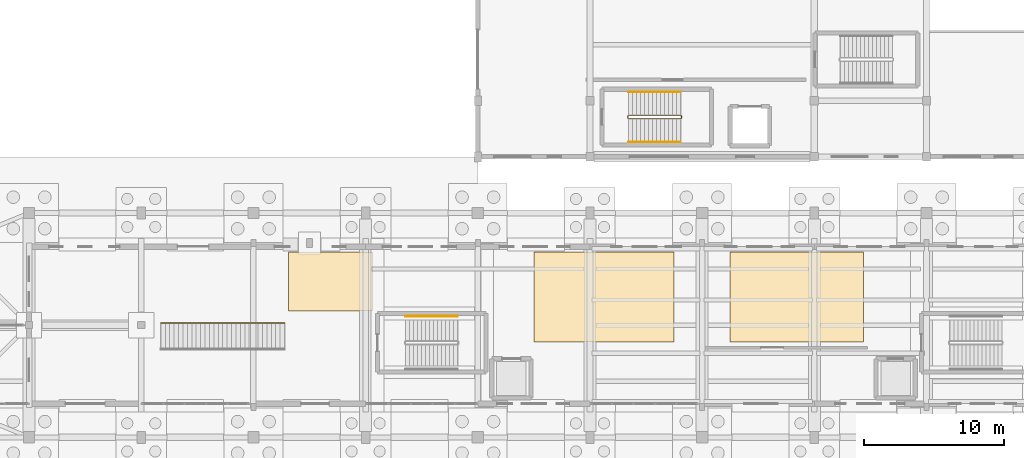
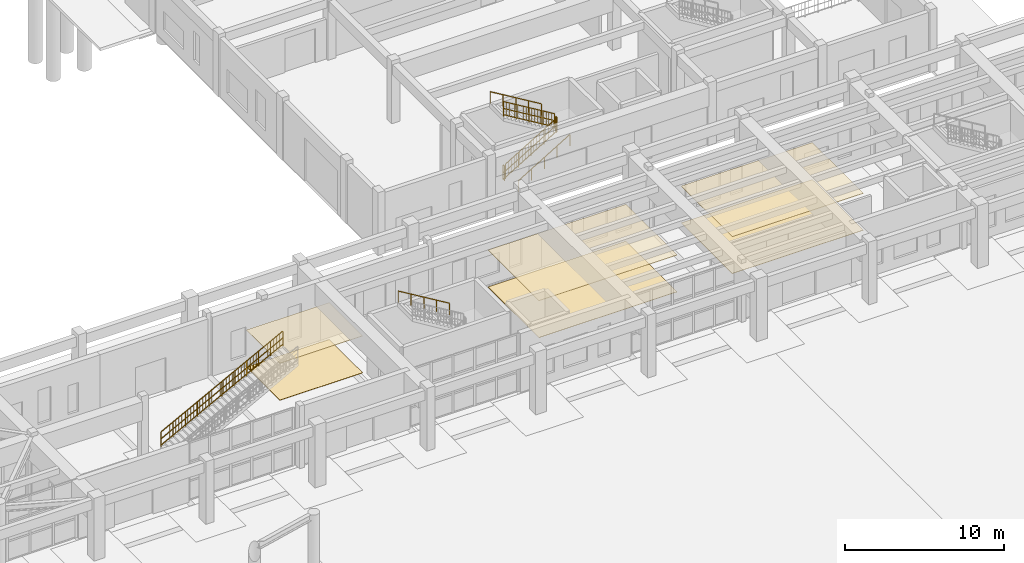
# One storey, part 63 of 68: 8 railings, 6 coverings.
"""IFC4 building model written with IfcOpenShell, lengths in metres."""

from ifc_helpers import new_model, si_unit, direction, frame, origin, origin_2d, place, context, subcontext, project, spatial, polyline, rectangle, outline, extrude, material, layer, layer_set, type_object, element, save


model = new_model("IFC4")

# Units and contexts
model_context = context("Model", 3, precision=1e-05, world=origin(), true_north=direction((0.0, 1.0)))
body_context = subcontext(model_context, "Body", "Model", "MODEL_VIEW")
ifc_project = project(units=[si_unit("LENGTHUNIT", "METRE"), si_unit("AREAUNIT", "SQUARE_METRE"), si_unit("VOLUMEUNIT", "CUBIC_METRE"), si_unit("PLANEANGLEUNIT", "RADIAN"), si_unit("MASSUNIT", "GRAM", prefix="KILO")], contexts=[model_context])

# Site, building, storey
site_placement = place(None, origin())
site = spatial("IfcSite", under=ifc_project, at=site_placement, CompositionType="ELEMENT")
building_placement = place(site_placement, origin())
building = spatial("IfcBuilding", under=site, at=building_placement, Name="Serraluz Foothill Cableway Terminal", CompositionType="ELEMENT")
storey_placement = place(building_placement, origin())
storey = spatial("IfcBuildingStorey", under=building, at=storey_placement, Name="L00", CompositionType="ELEMENT", Elevation=0.0)

# Coverings
ifc_material_1 = material(Name="Perforated acoustic mineral and timber ceiling", Category="wood")
ifc_layer_1 = layer(ifc_material_1, 0.034912109375, Name="Perforated acoustic mineral and timber ceiling", Category="wood")
ifc_layer_set_1 = layer_set([ifc_layer_1], Name="Perforated acoustic mineral and timber ceiling")
covering_type_1 = type_object("IfcCoveringType", Name="TYP-COV-CEIL-35", PredefinedType="CEILING", material=ifc_layer_set_1)
covering_1_placement = place(storey_placement, frame((0.0, 0.0, 2.81591796875)))
element("IfcCovering", 1, at=covering_1_placement, inside=storey, type_object=covering_type_1, Name="Suspended Acoustic Ceiling 01", PredefinedType="CEILING", context=body_context, shape_type="SweptSolid", body=[
    extrude(outline(polyline([(58.5, 65.0), (58.5, 69.199951171875), (59.35009765625, 69.199951171875), (59.35009765625, 69.199951171875), (60.64990234375, 69.199951171875), (60.64990234375, 69.199951171875), (64.5, 69.199951171875), (64.5, 65.0), (58.5, 65.0)])), origin(), (0.0, 0.0, 1.0), 0.03515625),
])
covering_2_placement = place(storey_placement, frame((0.0, 0.0, 2.81591796875)))
element("IfcCovering", 2, at=covering_2_placement, inside=storey, type_object=covering_type_1, Name="Suspended Acoustic Ceiling 02", PredefinedType="CEILING", context=body_context, shape_type="SweptSolid", body=[
    extrude(outline(polyline([(76.0, 62.800048828125), (76.0, 69.199951171875), (86.0, 69.199951171875), (86.0, 62.800048828125), (76.0, 62.800048828125)])), origin(), (0.0, 0.0, 1.0), 0.03515625),
])
covering_3_placement = place(storey_placement, frame((0.0, 0.0, 2.81591796875)))
element("IfcCovering", 3, at=covering_3_placement, inside=storey, type_object=covering_type_1, Name="Suspended Acoustic Ceiling 03", PredefinedType="CEILING", context=body_context, shape_type="SweptSolid", body=[
    extrude(outline(polyline([(90.0, 62.800048828125), (90.0, 69.199951171875), (99.5, 69.199951171875), (99.5, 62.800048828125), (90.0, 62.800048828125)])), origin(), (0.0, 0.0, 1.0), 0.03515625),
])
ifc_material_2 = material(Name="Honed basalt and terrazzo floor finish", Category="masonry")
ifc_layer_2 = layer(ifc_material_2, 0.02490234375, Name="Honed basalt and terrazzo floor finish", Category="masonry")
ifc_layer_set_2 = layer_set([ifc_layer_2], Name="Honed basalt and terrazzo floor finish")
covering_type_2 = type_object("IfcCoveringType", Name="TYP-COV-FLR-25", PredefinedType="FLOORING", material=ifc_layer_set_2)
covering_4_placement = place(storey_placement, origin())
element("IfcCovering", 4, at=covering_4_placement, inside=storey, type_object=covering_type_2, Name="Terrazzo Concourse Flooring 01", PredefinedType="FLOORING", context=body_context, shape_type="SweptSolid", body=[
    extrude(outline(polyline([(58.5, 65.0), (64.5, 65.0), (64.5, 69.199951171875), (58.5, 69.199951171875), (58.5, 65.0)])), origin(), (0.0, 0.0, 1.0), 0.02490234375),
])
covering_5_placement = place(storey_placement, origin())
element("IfcCovering", 5, at=covering_5_placement, inside=storey, type_object=covering_type_2, Name="Terrazzo Concourse Flooring 02", PredefinedType="FLOORING", context=body_context, shape_type="SweptSolid", body=[
    extrude(outline(polyline([(76.0, 62.800048828125), (86.0, 62.800048828125), (86.0, 69.199951171875), (76.0, 69.199951171875), (76.0, 62.800048828125)])), origin(), (0.0, 0.0, 1.0), 0.02490234375),
])
covering_6_placement = place(storey_placement, origin())
element("IfcCovering", 6, at=covering_6_placement, inside=storey, type_object=covering_type_2, Name="Terrazzo Concourse Flooring 03", PredefinedType="FLOORING", context=body_context, shape_type="SweptSolid", body=[
    extrude(outline(polyline([(90.0, 62.800048828125), (99.5, 62.800048828125), (99.5, 69.199951171875), (90.0, 69.199951171875), (90.0, 62.800048828125)])), origin(), (0.0, 0.0, 1.0), 0.02490234375),
])

# Railings
ifc_material_3 = material(Name="Steel ASTM A572 Grade 50", Category="steel")
ifc_layer_3 = layer(ifc_material_3, 0.054931640625, Name="Steel ASTM A572 Grade 50", Category="steel")
ifc_layer_set_3 = layer_set([ifc_layer_3], Name="Steel ASTM A572 Grade 50")
railing_type_1 = type_object("IfcRailingType", Name="TYP-RL-GRD-1150", PredefinedType="GUARDRAIL", material=ifc_layer_set_3)
railing_1_placement = place(storey_placement, frame((82.760009765625, 78.7099609375, 0.17138671875)))
element("IfcRailing", 7, at=railing_1_placement, inside=storey, type_object=railing_type_1, Name="L00 ST-08 stair guard 1", PredefinedType="GUARDRAIL", context=body_context, shape_type="SweptSolid", body=[
    extrude(rectangle(XDim=0.048095703125, YDim=0.048095703125, at=origin_2d()), frame((0.0, 0.0, 1.1259765625), z_axis=(0.856934400257, 0.0, 0.515425487977), x_axis=(0.0, 1.0, 0.0)), (0.0, 0.0, 1.0), 4.32373046875),
    extrude(rectangle(XDim=0.048095703125, YDim=0.048095703125, at=origin_2d()), frame((0.0, 0.0, 0.597900390625), z_axis=(0.856934400257, 0.0, 0.515425487977), x_axis=(0.0, 1.0, 0.0)), (0.0, 0.0, 1.0), 4.32373046875),
    extrude(rectangle(XDim=0.048095703125, YDim=0.048095703125, at=origin_2d()), frame((0.0, 0.0, 0.1201171875), z_axis=(0.856934400257, 0.0, 0.515425487977), x_axis=(0.0, 1.0, 0.0)), (0.0, 0.0, 1.0), 4.32373046875),
    extrude(rectangle(XDim=0.02001953125, YDim=0.02001953125, at=origin_2d()), frame((0.205810546875, 0.0, 0.243896484375)), (0.0, 0.0, 1.0), 0.981689453125),
    extrude(rectangle(XDim=0.02001953125, YDim=0.02001953125, at=origin_2d()), frame((0.41162109375, 0.0, 0.36767578125)), (0.0, 0.0, 1.0), 0.981689453125),
    extrude(rectangle(XDim=0.02001953125, YDim=0.02001953125, at=origin_2d()), frame((0.617431640625, 0.0, 0.491455078125)), (0.0, 0.0, 1.0), 0.981689453125),
    extrude(rectangle(XDim=0.02001953125, YDim=0.02001953125, at=origin_2d()), frame((0.8232421875, 0.0, 0.615234375)), (0.0, 0.0, 1.0), 0.981689453125),
    extrude(rectangle(XDim=0.02001953125, YDim=0.02001953125, at=origin_2d()), frame((1.029296875, 0.0, 0.739013671875)), (0.0, 0.0, 1.0), 0.981689453125),
    extrude(rectangle(XDim=0.02001953125, YDim=0.02001953125, at=origin_2d()), frame((1.235107421875, 0.0, 0.86279296875)), (0.0, 0.0, 1.0), 0.981689453125),
    extrude(rectangle(XDim=0.02001953125, YDim=0.02001953125, at=origin_2d()), frame((1.44091796875, 0.0, 0.986572265625)), (0.0, 0.0, 1.0), 0.981689453125),
    extrude(rectangle(XDim=0.02001953125, YDim=0.02001953125, at=origin_2d()), frame((1.646728515625, 0.0, 1.1103515625)), (0.0, 0.0, 1.0), 0.981689453125),
    extrude(rectangle(XDim=0.02001953125, YDim=0.02001953125, at=origin_2d()), frame((2.058349609375, 0.0, 1.358154296875)), (0.0, 0.0, 1.0), 0.981689453125),
    extrude(rectangle(XDim=0.02001953125, YDim=0.02001953125, at=origin_2d()), frame((2.26416015625, 0.0, 1.48193359375)), (0.0, 0.0, 1.0), 0.981689453125),
    extrude(rectangle(XDim=0.02001953125, YDim=0.02001953125, at=origin_2d()), frame((2.469970703125, 0.0, 1.605712890625)), (0.0, 0.0, 1.0), 0.981689453125),
    extrude(rectangle(XDim=0.02001953125, YDim=0.02001953125, at=origin_2d()), frame((2.67578125, 0.0, 1.7294921875)), (0.0, 0.0, 1.0), 0.981689453125),
    extrude(rectangle(XDim=0.02001953125, YDim=0.02001953125, at=origin_2d()), frame((2.8818359375, 0.0, 1.853271484375)), (0.0, 0.0, 1.0), 0.981689453125),
    extrude(rectangle(XDim=0.02001953125, YDim=0.02001953125, at=origin_2d()), frame((3.087646484375, 0.0, 1.97705078125)), (0.0, 0.0, 1.0), 0.981689453125),
    extrude(rectangle(XDim=0.02001953125, YDim=0.02001953125, at=origin_2d()), frame((3.29345703125, 0.0, 2.100830078125)), (0.0, 0.0, 1.0), 0.981689453125),
    extrude(rectangle(XDim=0.02001953125, YDim=0.02001953125, at=origin_2d()), frame((3.499267578125, 0.0, 2.224609375)), (0.0, 0.0, 1.0), 0.981689453125),
    extrude(rectangle(XDim=0.0439453125, YDim=0.0439453125, at=origin_2d()), origin(), (0.0, 0.0, 1.0), 1.101806640625),
    extrude(rectangle(XDim=0.0439453125, YDim=0.0439453125, at=origin_2d()), frame((0.92626953125, 0.0, 0.55712890625)), (0.0, 0.0, 1.0), 1.101806640625),
    extrude(rectangle(XDim=0.0439453125, YDim=0.0439453125, at=origin_2d()), frame((1.8525390625, 0.0, 1.1142578125)), (0.0, 0.0, 1.0), 1.101806640625),
    extrude(rectangle(XDim=0.0439453125, YDim=0.0439453125, at=origin_2d()), frame((2.77880859375, 0.0, 1.67138671875)), (0.0, 0.0, 1.0), 1.101806640625),
    extrude(rectangle(XDim=0.0439453125, YDim=0.0439453125, at=origin_2d()), frame((3.705078125, 0.0, 2.228515625)), (0.0, 0.0, 1.0), 1.101806640625),
])
railing_2_placement = place(storey_placement, frame((86.514892578125, 78.760009765625, 2.39990234375)))
element("IfcRailing", 8, at=railing_2_placement, inside=storey, type_object=railing_type_1, Name="L00 ST-08 stair guard 2", PredefinedType="GUARDRAIL", context=body_context, shape_type="SweptSolid", body=[
    extrude(rectangle(XDim=0.048095703125, YDim=0.048095703125, at=origin_2d()), frame((0.0, 0.0, 1.1259765625), z_axis=(0.0, 1.0, 0.0), x_axis=(-1.0, 0.0, 0.0)), (0.0, 0.0, 1.0), 0.159912109375),
    extrude(rectangle(XDim=0.048095703125, YDim=0.048095703125, at=origin_2d()), frame((0.0, 0.0, 0.597900390625), z_axis=(0.0, 1.0, 0.0), x_axis=(-1.0, 0.0, 0.0)), (0.0, 0.0, 1.0), 0.159912109375),
    extrude(rectangle(XDim=0.048095703125, YDim=0.048095703125, at=origin_2d()), frame((0.0, 0.0, 0.1201171875), z_axis=(0.0, 1.0, 0.0), x_axis=(-1.0, 0.0, 0.0)), (0.0, 0.0, 1.0), 0.159912109375),
    extrude(rectangle(XDim=0.0439453125, YDim=0.0439453125, at=origin_2d()), origin(), (0.0, 0.0, 1.0), 1.101806640625),
    extrude(rectangle(XDim=0.0439453125, YDim=0.0439453125, at=origin_2d()), frame((0.0, 0.159912109375, 0.0)), (0.0, 0.0, 1.0), 1.101806640625),
])
railing_3_placement = place(storey_placement, frame((86.465087890625, 78.969970703125, 2.571533203125)))
element("IfcRailing", 9, at=railing_3_placement, inside=storey, type_object=railing_type_1, Name="L00 ST-08 stair guard 3", PredefinedType="GUARDRAIL", context=body_context, shape_type="SweptSolid", body=[
    extrude(rectangle(XDim=0.048095703125, YDim=0.048095703125, at=origin_2d()), frame((0.0, 0.0, 1.1259765625), z_axis=(-0.856934400257, 0.0, 0.515425487977), x_axis=(0.0, -1.0, 0.0)), (0.0, 0.0, 1.0), 4.32373046875),
    extrude(rectangle(XDim=0.048095703125, YDim=0.048095703125, at=origin_2d()), frame((0.0, 0.0, 0.597900390625), z_axis=(-0.856934400257, 0.0, 0.515425487977), x_axis=(0.0, -1.0, 0.0)), (0.0, 0.0, 1.0), 4.32373046875),
    extrude(rectangle(XDim=0.048095703125, YDim=0.048095703125, at=origin_2d()), frame((0.0, 0.0, 0.1201171875), z_axis=(-0.856934400257, 0.0, 0.515425487977), x_axis=(0.0, -1.0, 0.0)), (0.0, 0.0, 1.0), 4.32373046875),
    extrude(rectangle(XDim=0.02001953125, YDim=0.02001953125, at=origin_2d()), frame((-0.205810546875, 0.0, 0.243896484375)), (0.0, 0.0, 1.0), 0.981689453125),
    extrude(rectangle(XDim=0.02001953125, YDim=0.02001953125, at=origin_2d()), frame((-0.41162109375, 0.0, 0.36767578125)), (0.0, 0.0, 1.0), 0.981689453125),
    extrude(rectangle(XDim=0.02001953125, YDim=0.02001953125, at=origin_2d()), frame((-0.617431640625, 0.0, 0.491455078125)), (0.0, 0.0, 1.0), 0.981689453125),
    extrude(rectangle(XDim=0.02001953125, YDim=0.02001953125, at=origin_2d()), frame((-0.8232421875, 0.0, 0.615234375)), (0.0, 0.0, 1.0), 0.981689453125),
    extrude(rectangle(XDim=0.02001953125, YDim=0.02001953125, at=origin_2d()), frame((-1.029296875, 0.0, 0.739013671875)), (0.0, 0.0, 1.0), 0.981689453125),
    extrude(rectangle(XDim=0.02001953125, YDim=0.02001953125, at=origin_2d()), frame((-1.235107421875, 0.0, 0.86279296875)), (0.0, 0.0, 1.0), 0.981689453125),
    extrude(rectangle(XDim=0.02001953125, YDim=0.02001953125, at=origin_2d()), frame((-1.44091796875, 0.0, 0.986572265625)), (0.0, 0.0, 1.0), 0.981689453125),
    extrude(rectangle(XDim=0.02001953125, YDim=0.02001953125, at=origin_2d()), frame((-1.646728515625, 0.0, 1.1103515625)), (0.0, 0.0, 1.0), 0.981689453125),
    extrude(rectangle(XDim=0.02001953125, YDim=0.02001953125, at=origin_2d()), frame((-2.058349609375, 0.0, 1.358154296875)), (0.0, 0.0, 1.0), 0.981689453125),
    extrude(rectangle(XDim=0.02001953125, YDim=0.02001953125, at=origin_2d()), frame((-2.26416015625, 0.0, 1.48193359375)), (0.0, 0.0, 1.0), 0.981689453125),
    extrude(rectangle(XDim=0.02001953125, YDim=0.02001953125, at=origin_2d()), frame((-2.469970703125, 0.0, 1.605712890625)), (0.0, 0.0, 1.0), 0.981689453125),
    extrude(rectangle(XDim=0.02001953125, YDim=0.02001953125, at=origin_2d()), frame((-2.67578125, 0.0, 1.7294921875)), (0.0, 0.0, 1.0), 0.981689453125),
    extrude(rectangle(XDim=0.02001953125, YDim=0.02001953125, at=origin_2d()), frame((-2.8818359375, 0.0, 1.853271484375)), (0.0, 0.0, 1.0), 0.981689453125),
    extrude(rectangle(XDim=0.02001953125, YDim=0.02001953125, at=origin_2d()), frame((-3.087646484375, 0.0, 1.97705078125)), (0.0, 0.0, 1.0), 0.981689453125),
    extrude(rectangle(XDim=0.02001953125, YDim=0.02001953125, at=origin_2d()), frame((-3.29345703125, 0.0, 2.100830078125)), (0.0, 0.0, 1.0), 0.981689453125),
    extrude(rectangle(XDim=0.02001953125, YDim=0.02001953125, at=origin_2d()), frame((-3.499267578125, 0.0, 2.224609375)), (0.0, 0.0, 1.0), 0.981689453125),
    extrude(rectangle(XDim=0.0439453125, YDim=0.0439453125, at=origin_2d()), origin(), (0.0, 0.0, 1.0), 1.101806640625),
    extrude(rectangle(XDim=0.0439453125, YDim=0.0439453125, at=origin_2d()), frame((-0.92626953125, 0.0, 0.55712890625)), (0.0, 0.0, 1.0), 1.101806640625),
    extrude(rectangle(XDim=0.0439453125, YDim=0.0439453125, at=origin_2d()), frame((-1.8525390625, 0.0, 1.1142578125)), (0.0, 0.0, 1.0), 1.101806640625),
    extrude(rectangle(XDim=0.0439453125, YDim=0.0439453125, at=origin_2d()), frame((-2.77880859375, 0.0, 1.67138671875)), (0.0, 0.0, 1.0), 1.101806640625),
    extrude(rectangle(XDim=0.0439453125, YDim=0.0439453125, at=origin_2d()), frame((-3.705078125, 0.0, 2.228515625)), (0.0, 0.0, 1.0), 1.101806640625),
])
railing_4_placement = place(storey_placement, frame((82.7099609375, 78.760009765625, 0.0)))
element("IfcRailing", 10, at=railing_4_placement, inside=storey, type_object=railing_type_1, Name="L00 ST-08 stair guard 4", PredefinedType="GUARDRAIL", context=body_context, shape_type="SweptSolid", body=[
    extrude(rectangle(XDim=0.048095703125, YDim=0.048095703125, at=origin_2d()), frame((0.0, 0.0, 1.1259765625), z_axis=(0.0, 1.0, 0.0), x_axis=(-1.0, 0.0, 0.0)), (0.0, 0.0, 1.0), 0.159912109375),
    extrude(rectangle(XDim=0.048095703125, YDim=0.048095703125, at=origin_2d()), frame((0.0, 0.0, 0.597900390625), z_axis=(0.0, 1.0, 0.0), x_axis=(-1.0, 0.0, 0.0)), (0.0, 0.0, 1.0), 0.159912109375),
    extrude(rectangle(XDim=0.048095703125, YDim=0.048095703125, at=origin_2d()), frame((0.0, 0.0, 0.1201171875), z_axis=(0.0, 1.0, 0.0), x_axis=(-1.0, 0.0, 0.0)), (0.0, 0.0, 1.0), 0.159912109375),
    extrude(rectangle(XDim=0.0439453125, YDim=0.0439453125, at=origin_2d()), origin(), (0.0, 0.0, 1.0), 1.101806640625),
    extrude(rectangle(XDim=0.0439453125, YDim=0.0439453125, at=origin_2d()), frame((0.0, 0.159912109375, 0.0)), (0.0, 0.0, 1.0), 1.101806640625),
])
railing_5_placement = place(storey_placement, frame((49.39990234375, 64.14990234375, 0.16552734375)))
element("IfcRailing", 11, at=railing_5_placement, inside=storey, type_object=railing_type_1, Name="GUARDRAIL ST-F01-R", PredefinedType="GUARDRAIL", context=body_context, shape_type="SweptSolid", body=[
    extrude(rectangle(XDim=0.048095703125, YDim=0.048095703125, at=origin_2d()), frame((0.0, 0.0, 1.1259765625), z_axis=(0.88523321492, 0.0, 0.465147455333), x_axis=(0.0, 1.0, 0.0)), (0.0, 0.0, 1.0), 9.963623046875),
    extrude(rectangle(XDim=0.048095703125, YDim=0.048095703125, at=origin_2d()), frame((0.0, 0.0, 0.597900390625), z_axis=(0.88523321492, 0.0, 0.465147455333), x_axis=(0.0, 1.0, 0.0)), (0.0, 0.0, 1.0), 9.963623046875),
    extrude(rectangle(XDim=0.048095703125, YDim=0.048095703125, at=origin_2d()), frame((0.0, 0.0, 0.1201171875), z_axis=(0.88523321492, 0.0, 0.465147455333), x_axis=(0.0, 1.0, 0.0)), (0.0, 0.0, 1.0), 9.963623046875),
    extrude(rectangle(XDim=0.02001953125, YDim=0.02001953125, at=origin_2d()), frame((0.215087890625, 0.0, 0.233154296875)), (0.0, 0.0, 1.0), 0.981689453125),
    extrude(rectangle(XDim=0.02001953125, YDim=0.02001953125, at=origin_2d()), frame((0.43017578125, 0.0, 0.34619140625)), (0.0, 0.0, 1.0), 0.981689453125),
    extrude(rectangle(XDim=0.02001953125, YDim=0.02001953125, at=origin_2d()), frame((0.645263671875, 0.0, 0.459228515625)), (0.0, 0.0, 1.0), 0.981689453125),
    extrude(rectangle(XDim=0.02001953125, YDim=0.02001953125, at=origin_2d()), frame((1.07568359375, 0.0, 0.685302734375)), (0.0, 0.0, 1.0), 0.981689453125),
    extrude(rectangle(XDim=0.02001953125, YDim=0.02001953125, at=origin_2d()), frame((1.290771484375, 0.0, 0.79833984375)), (0.0, 0.0, 1.0), 0.981689453125),
    extrude(rectangle(XDim=0.02001953125, YDim=0.02001953125, at=origin_2d()), frame((1.505859375, 0.0, 0.911376953125)), (0.0, 0.0, 1.0), 0.981689453125),
    extrude(rectangle(XDim=0.02001953125, YDim=0.02001953125, at=origin_2d()), frame((1.93603515625, 0.0, 1.137451171875)), (0.0, 0.0, 1.0), 0.981689453125),
    extrude(rectangle(XDim=0.02001953125, YDim=0.02001953125, at=origin_2d()), frame((2.151123046875, 0.0, 1.25048828125)), (0.0, 0.0, 1.0), 0.981689453125),
    extrude(rectangle(XDim=0.02001953125, YDim=0.02001953125, at=origin_2d()), frame((2.366455078125, 0.0, 1.363525390625)), (0.0, 0.0, 1.0), 0.981689453125),
    extrude(rectangle(XDim=0.02001953125, YDim=0.02001953125, at=origin_2d()), frame((2.58154296875, 0.0, 1.4765625)), (0.0, 0.0, 1.0), 0.981689453125),
    extrude(rectangle(XDim=0.02001953125, YDim=0.02001953125, at=origin_2d()), frame((2.796630859375, 0.0, 1.589599609375)), (0.0, 0.0, 1.0), 0.981689453125),
    extrude(rectangle(XDim=0.02001953125, YDim=0.02001953125, at=origin_2d()), frame((3.01171875, 0.0, 1.70263671875)), (0.0, 0.0, 1.0), 0.981689453125),
    extrude(rectangle(XDim=0.02001953125, YDim=0.02001953125, at=origin_2d()), frame((3.226806640625, 0.0, 1.815673828125)), (0.0, 0.0, 1.0), 0.981689453125),
    extrude(rectangle(XDim=0.02001953125, YDim=0.02001953125, at=origin_2d()), frame((3.44189453125, 0.0, 1.9287109375)), (0.0, 0.0, 1.0), 0.981689453125),
    extrude(rectangle(XDim=0.02001953125, YDim=0.02001953125, at=origin_2d()), frame((3.656982421875, 0.0, 2.041748046875)), (0.0, 0.0, 1.0), 0.981689453125),
    extrude(rectangle(XDim=0.02001953125, YDim=0.02001953125, at=origin_2d()), frame((3.872314453125, 0.0, 2.15478515625)), (0.0, 0.0, 1.0), 0.981689453125),
    extrude(rectangle(XDim=0.02001953125, YDim=0.02001953125, at=origin_2d()), frame((4.08740234375, 0.0, 2.267822265625)), (0.0, 0.0, 1.0), 0.981689453125),
    extrude(rectangle(XDim=0.02001953125, YDim=0.02001953125, at=origin_2d()), frame((4.302490234375, 0.0, 2.380859375)), (0.0, 0.0, 1.0), 0.981689453125),
    extrude(rectangle(XDim=0.02001953125, YDim=0.02001953125, at=origin_2d()), frame((4.517578125, 0.0, 2.493896484375)), (0.0, 0.0, 1.0), 0.981689453125),
    extrude(rectangle(XDim=0.02001953125, YDim=0.02001953125, at=origin_2d()), frame((4.732666015625, 0.0, 2.60693359375)), (0.0, 0.0, 1.0), 0.981689453125),
    extrude(rectangle(XDim=0.02001953125, YDim=0.02001953125, at=origin_2d()), frame((4.94775390625, 0.0, 2.719970703125)), (0.0, 0.0, 1.0), 0.981689453125),
    extrude(rectangle(XDim=0.02001953125, YDim=0.02001953125, at=origin_2d()), frame((5.1630859375, 0.0, 2.8330078125)), (0.0, 0.0, 1.0), 0.981689453125),
    extrude(rectangle(XDim=0.02001953125, YDim=0.02001953125, at=origin_2d()), frame((5.378173828125, 0.0, 2.946044921875)), (0.0, 0.0, 1.0), 0.981689453125),
    extrude(rectangle(XDim=0.02001953125, YDim=0.02001953125, at=origin_2d()), frame((5.59326171875, 0.0, 3.05908203125)), (0.0, 0.0, 1.0), 0.981689453125),
    extrude(rectangle(XDim=0.02001953125, YDim=0.02001953125, at=origin_2d()), frame((5.808349609375, 0.0, 3.172119140625)), (0.0, 0.0, 1.0), 0.981689453125),
    extrude(rectangle(XDim=0.02001953125, YDim=0.02001953125, at=origin_2d()), frame((6.0234375, 0.0, 3.28515625)), (0.0, 0.0, 1.0), 0.981689453125),
    extrude(rectangle(XDim=0.02001953125, YDim=0.02001953125, at=origin_2d()), frame((6.238525390625, 0.0, 3.398193359375)), (0.0, 0.0, 1.0), 0.981689453125),
    extrude(rectangle(XDim=0.02001953125, YDim=0.02001953125, at=origin_2d()), frame((6.45361328125, 0.0, 3.51123046875)), (0.0, 0.0, 1.0), 0.981689453125),
    extrude(rectangle(XDim=0.02001953125, YDim=0.02001953125, at=origin_2d()), frame((6.6689453125, 0.0, 3.624267578125)), (0.0, 0.0, 1.0), 0.981689453125),
    extrude(rectangle(XDim=0.02001953125, YDim=0.02001953125, at=origin_2d()), frame((6.884033203125, 0.0, 3.7373046875)), (0.0, 0.0, 1.0), 0.981689453125),
    extrude(rectangle(XDim=0.02001953125, YDim=0.02001953125, at=origin_2d()), frame((7.314208984375, 0.0, 3.96337890625)), (0.0, 0.0, 1.0), 0.981689453125),
    extrude(rectangle(XDim=0.02001953125, YDim=0.02001953125, at=origin_2d()), frame((7.529296875, 0.0, 4.076416015625)), (0.0, 0.0, 1.0), 0.981689453125),
    extrude(rectangle(XDim=0.02001953125, YDim=0.02001953125, at=origin_2d()), frame((7.744384765625, 0.0, 4.189453125)), (0.0, 0.0, 1.0), 0.981689453125),
    extrude(rectangle(XDim=0.02001953125, YDim=0.02001953125, at=origin_2d()), frame((8.1748046875, 0.0, 4.41552734375)), (0.0, 0.0, 1.0), 0.981689453125),
    extrude(rectangle(XDim=0.02001953125, YDim=0.02001953125, at=origin_2d()), frame((8.389892578125, 0.0, 4.528564453125)), (0.0, 0.0, 1.0), 0.981689453125),
    extrude(rectangle(XDim=0.02001953125, YDim=0.02001953125, at=origin_2d()), frame((8.60498046875, 0.0, 4.6416015625)), (0.0, 0.0, 1.0), 0.981689453125),
    extrude(rectangle(XDim=0.0439453125, YDim=0.0439453125, at=origin_2d()), origin(), (0.0, 0.0, 1.0), 1.101806640625),
    extrude(rectangle(XDim=0.0439453125, YDim=0.0439453125, at=origin_2d()), frame((0.882080078125, 0.0, 0.46337890625)), (0.0, 0.0, 1.0), 1.101806640625),
    extrude(rectangle(XDim=0.0439453125, YDim=0.0439453125, at=origin_2d()), frame((1.763916015625, 0.0, 0.927001953125)), (0.0, 0.0, 1.0), 1.101806640625),
    extrude(rectangle(XDim=0.0439453125, YDim=0.0439453125, at=origin_2d()), frame((2.64599609375, 0.0, 1.390380859375)), (0.0, 0.0, 1.0), 1.101806640625),
    extrude(rectangle(XDim=0.0439453125, YDim=0.0439453125, at=origin_2d()), frame((3.528076171875, 0.0, 1.853759765625)), (0.0, 0.0, 1.0), 1.101806640625),
    extrude(rectangle(XDim=0.0439453125, YDim=0.0439453125, at=origin_2d()), frame((4.41015625, 0.0, 2.3173828125)), (0.0, 0.0, 1.0), 1.101806640625),
    extrude(rectangle(XDim=0.0439453125, YDim=0.0439453125, at=origin_2d()), frame((5.2919921875, 0.0, 2.78076171875)), (0.0, 0.0, 1.0), 1.101806640625),
    extrude(rectangle(XDim=0.0439453125, YDim=0.0439453125, at=origin_2d()), frame((6.174072265625, 0.0, 3.244140625)), (0.0, 0.0, 1.0), 1.101806640625),
    extrude(rectangle(XDim=0.0439453125, YDim=0.0439453125, at=origin_2d()), frame((7.05615234375, 0.0, 3.70751953125)), (0.0, 0.0, 1.0), 1.101806640625),
    extrude(rectangle(XDim=0.0439453125, YDim=0.0439453125, at=origin_2d()), frame((7.93798828125, 0.0, 4.171142578125)), (0.0, 0.0, 1.0), 1.101806640625),
    extrude(rectangle(XDim=0.0439453125, YDim=0.0439453125, at=origin_2d()), frame((8.820068359375, 0.0, 4.634521484375)), (0.0, 0.0, 1.0), 1.101806640625),
])
ifc_material_4 = material(Name="Architectural bronze alloy C28000", Category="aluminium")
ifc_layer_4 = layer(ifc_material_4, 0.048095703125, Name="Architectural bronze alloy C28000", Category="aluminium")
ifc_layer_set_4 = layer_set([ifc_layer_4], Name="Architectural bronze alloy C28000")
railing_type_2 = type_object("IfcRailingType", Name="TYP-RL-HND-920", PredefinedType="HANDRAIL", material=ifc_layer_set_4)
railing_6_placement = place(storey_placement, frame((70.56494140625, 64.6298828125, 2.571533203125)))
element("IfcRailing", 12, at=railing_6_placement, inside=storey, type_object=railing_type_2, Name="L00 ST-03 stair handrail 2", PredefinedType="HANDRAIL", context=body_context, shape_type="SweptSolid", body=[
    extrude(rectangle(XDim=0.048095703125, YDim=0.048095703125, at=origin_2d()), frame((0.0, 0.0, 0.8759765625), z_axis=(-0.856919398105, 0.0, 0.515450429384), x_axis=(0.0, -1.0, 0.0)), (0.0, 0.0, 1.0), 4.323486328125),
    extrude(rectangle(XDim=0.0439453125, YDim=0.0439453125, at=origin_2d()), origin(), (0.0, 0.0, 1.0), 0.851806640625),
    extrude(rectangle(XDim=0.0439453125, YDim=0.0439453125, at=origin_2d()), frame((-0.92626953125, 0.0, 0.55712890625)), (0.0, 0.0, 1.0), 0.851806640625),
    extrude(rectangle(XDim=0.0439453125, YDim=0.0439453125, at=origin_2d()), frame((-1.8525390625, 0.0, 1.1142578125)), (0.0, 0.0, 1.0), 0.851806640625),
    extrude(rectangle(XDim=0.0439453125, YDim=0.0439453125, at=origin_2d()), frame((-2.778564453125, 0.0, 1.67138671875)), (0.0, 0.0, 1.0), 0.851806640625),
    extrude(rectangle(XDim=0.0439453125, YDim=0.0439453125, at=origin_2d()), frame((-3.704833984375, 0.0, 2.228515625)), (0.0, 0.0, 1.0), 0.851806640625),
])
railing_7_placement = place(storey_placement, frame((82.760009765625, 77.050048828125, 0.17138671875)))
element("IfcRailing", 13, at=railing_7_placement, inside=storey, type_object=railing_type_2, Name="L00 ST-08 stair handrail 1", PredefinedType="HANDRAIL", context=body_context, shape_type="SweptSolid", body=[
    extrude(rectangle(XDim=0.048095703125, YDim=0.048095703125, at=origin_2d()), frame((0.0, 0.0, 0.8759765625), z_axis=(0.856934400257, 0.0, 0.515425487977), x_axis=(0.0, 1.0, 0.0)), (0.0, 0.0, 1.0), 4.32373046875),
    extrude(rectangle(XDim=0.0439453125, YDim=0.0439453125, at=origin_2d()), origin(), (0.0, 0.0, 1.0), 0.851806640625),
    extrude(rectangle(XDim=0.0439453125, YDim=0.0439453125, at=origin_2d()), frame((0.92626953125, 0.0, 0.55712890625)), (0.0, 0.0, 1.0), 0.851806640625),
    extrude(rectangle(XDim=0.0439453125, YDim=0.0439453125, at=origin_2d()), frame((1.8525390625, 0.0, 1.1142578125)), (0.0, 0.0, 1.0), 0.851806640625),
    extrude(rectangle(XDim=0.0439453125, YDim=0.0439453125, at=origin_2d()), frame((2.77880859375, 0.0, 1.67138671875)), (0.0, 0.0, 1.0), 0.851806640625),
    extrude(rectangle(XDim=0.0439453125, YDim=0.0439453125, at=origin_2d()), frame((3.705078125, 0.0, 2.228515625)), (0.0, 0.0, 1.0), 0.851806640625),
])
railing_8_placement = place(storey_placement, frame((86.465087890625, 80.6298828125, 2.571533203125)))
element("IfcRailing", 14, at=railing_8_placement, inside=storey, type_object=railing_type_2, Name="L00 ST-08 stair handrail 2", PredefinedType="HANDRAIL", context=body_context, shape_type="SweptSolid", body=[
    extrude(rectangle(XDim=0.048095703125, YDim=0.048095703125, at=origin_2d()), frame((0.0, 0.0, 0.8759765625), z_axis=(-0.856934400257, 0.0, 0.515425487977), x_axis=(0.0, -1.0, 0.0)), (0.0, 0.0, 1.0), 4.32373046875),
    extrude(rectangle(XDim=0.0439453125, YDim=0.0439453125, at=origin_2d()), origin(), (0.0, 0.0, 1.0), 0.851806640625),
    extrude(rectangle(XDim=0.0439453125, YDim=0.0439453125, at=origin_2d()), frame((-0.92626953125, 0.0, 0.55712890625)), (0.0, 0.0, 1.0), 0.851806640625),
    extrude(rectangle(XDim=0.0439453125, YDim=0.0439453125, at=origin_2d()), frame((-1.8525390625, 0.0, 1.1142578125)), (0.0, 0.0, 1.0), 0.851806640625),
    extrude(rectangle(XDim=0.0439453125, YDim=0.0439453125, at=origin_2d()), frame((-2.77880859375, 0.0, 1.67138671875)), (0.0, 0.0, 1.0), 0.851806640625),
    extrude(rectangle(XDim=0.0439453125, YDim=0.0439453125, at=origin_2d()), frame((-3.705078125, 0.0, 2.228515625)), (0.0, 0.0, 1.0), 0.851806640625),
])

save(model, "model.ifc")
